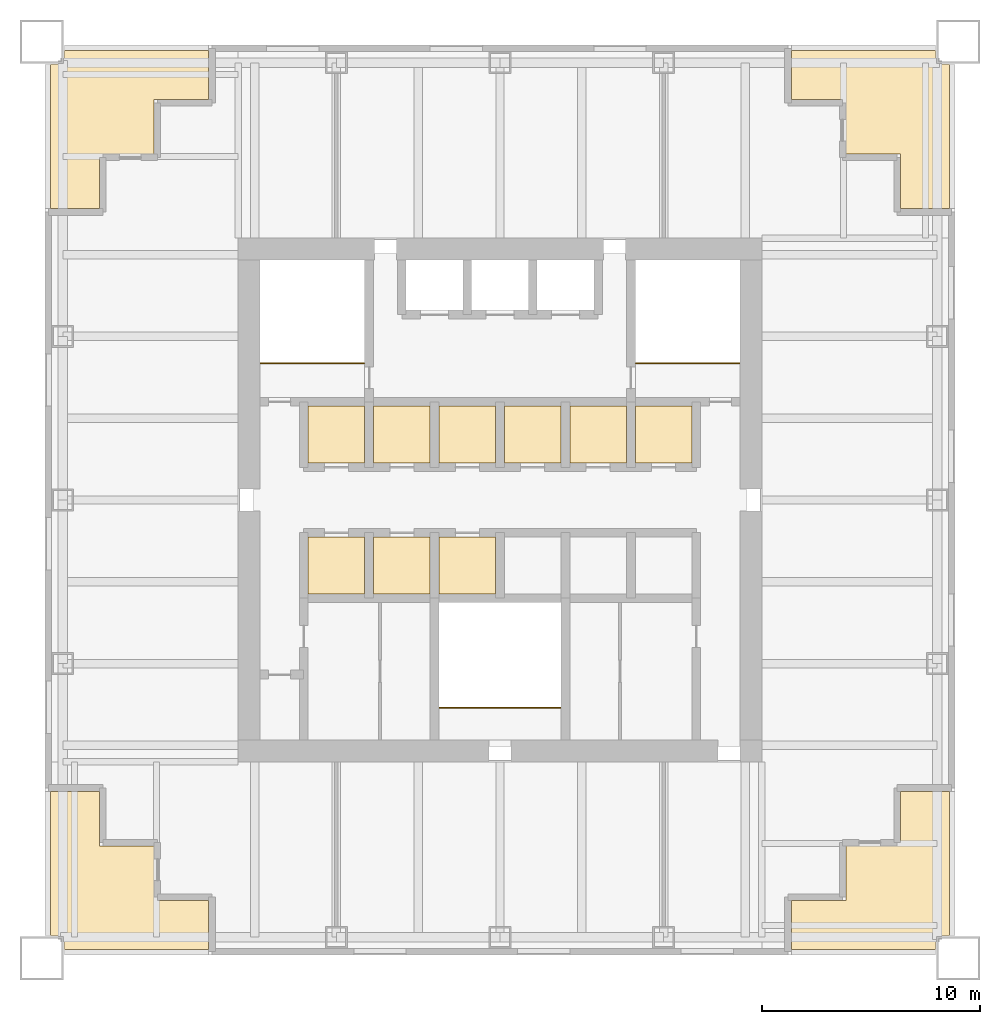
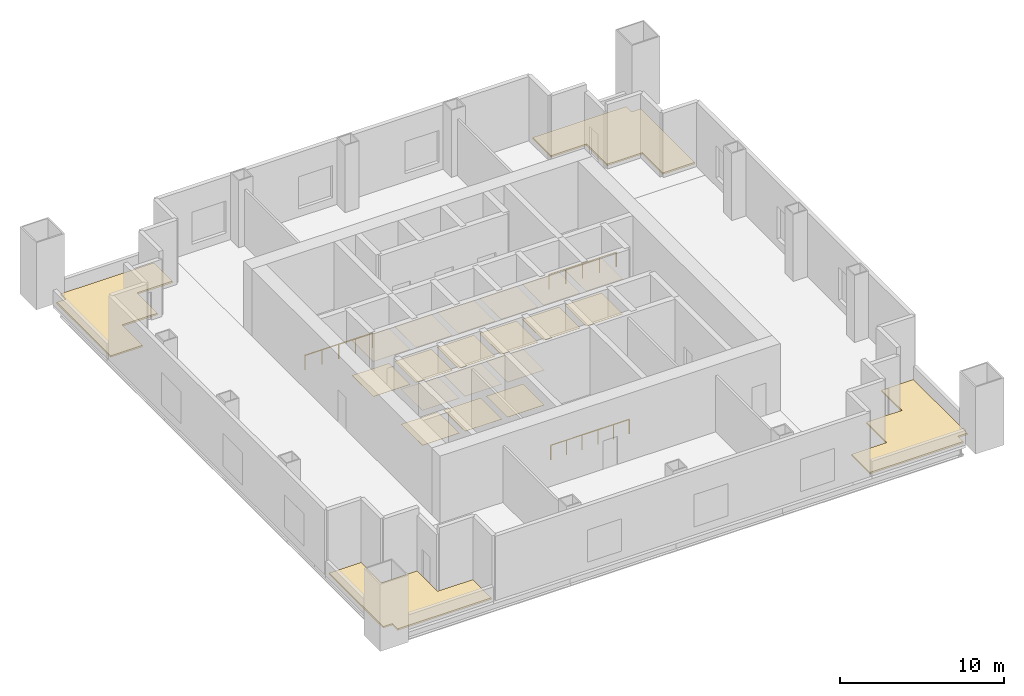
# One storey, part 5 of 5: 22 coverings, 3 railings.
"""IFC4 building model written with IfcOpenShell, lengths in metres."""

from ifc_helpers import new_model, si_unit, direction, frame, origin, origin_2d, place, context, subcontext, project, spatial, polyline, circle, outline, extrude, material, layer, layer_set, type_object, element, save


model = new_model("IFC4")

# Units and contexts
model_context = context("Model", 3, precision=1e-05, world=origin(), true_north=direction((0.0, 1.0)))
body_context = subcontext(model_context, "Body", "Model", "MODEL_VIEW")
ifc_project = project(units=[si_unit("LENGTHUNIT", "METRE"), si_unit("AREAUNIT", "SQUARE_METRE"), si_unit("VOLUMEUNIT", "CUBIC_METRE"), si_unit("PLANEANGLEUNIT", "RADIAN"), si_unit("MASSUNIT", "GRAM", prefix="KILO")], contexts=[model_context])

# Site, building, storey
site_placement = place(None, origin())
site = spatial("IfcSite", under=ifc_project, at=site_placement, CompositionType="ELEMENT")
building_placement = place(site_placement, origin())
building = spatial("IfcBuilding", under=site, at=building_placement, Name="Tarangal Relay Tower", CompositionType="ELEMENT")
storey_placement = place(building_placement, frame((0.0, 0.0, 341.89990234375)))
storey = spatial("IfcBuildingStorey", under=building, at=storey_placement, Name="L76", CompositionType="ELEMENT", Elevation=341.89990234375)

# Coverings
ifc_material_1 = material(Name="Anti-static vinyl flooring", Category="plastic")
ifc_layer_1 = layer(ifc_material_1, 0.010009765625)
ifc_layer_set_1 = layer_set([ifc_layer_1], Name="Anti-static vinyl floor")
covering_type_1 = type_object("IfcCoveringType", Name="Anti-static vinyl floor", PredefinedType="FLOORING", material=ifc_layer_set_1)
covering_1_placement = place(storey_placement, origin())
element("IfcCovering", 1, at=covering_1_placement, inside=storey, type_object=covering_type_1, Name="Floor finish FL1 L76-D1", PredefinedType="FLOORING", context=body_context, shape_type="SweptSolid", body=[
    extrude(outline(polyline([(-8.800048828125, 1.699951171875), (-6.199951171875, 1.699951171875), (-6.199951171875, 4.300048828125), (-8.800048828125, 4.300048828125), (-8.800048828125, 1.699951171875)])), origin(), (0.0, 0.0, 1.0), 0.010009765625),
])
covering_2_placement = place(storey_placement, origin())
element("IfcCovering", 2, at=covering_2_placement, inside=storey, type_object=covering_type_1, Name="Floor finish FL1 L76-D2", PredefinedType="FLOORING", context=body_context, shape_type="SweptSolid", body=[
    extrude(outline(polyline([(-5.800048828125, 1.699951171875), (-3.199951171875, 1.699951171875), (-3.199951171875, 4.300048828125), (-5.800048828125, 4.300048828125), (-5.800048828125, 1.699951171875)])), origin(), (0.0, 0.0, 1.0), 0.010009765625),
])
covering_3_placement = place(storey_placement, origin())
element("IfcCovering", 3, at=covering_3_placement, inside=storey, type_object=covering_type_1, Name="Floor finish FL1 L76-D3", PredefinedType="FLOORING", context=body_context, shape_type="SweptSolid", body=[
    extrude(outline(polyline([(-2.800048828125, 1.699951171875), (-0.199951171875, 1.699951171875), (-0.199951171875, 4.300048828125), (-2.800048828125, 4.300048828125), (-2.800048828125, 1.699951171875)])), origin(), (0.0, 0.0, 1.0), 0.010009765625),
])
covering_4_placement = place(storey_placement, origin())
element("IfcCovering", 4, at=covering_4_placement, inside=storey, type_object=covering_type_1, Name="Floor finish FL1 L76-T1", PredefinedType="FLOORING", context=body_context, shape_type="SweptSolid", body=[
    extrude(outline(polyline([(0.199951171875, 1.699951171875), (2.800048828125, 1.699951171875), (2.800048828125, 4.300048828125), (0.199951171875, 4.300048828125), (0.199951171875, 1.699951171875)])), origin(), (0.0, 0.0, 1.0), 0.010009765625),
])
covering_5_placement = place(storey_placement, origin())
element("IfcCovering", 5, at=covering_5_placement, inside=storey, type_object=covering_type_1, Name="Floor finish FL1 L76-T2", PredefinedType="FLOORING", context=body_context, shape_type="SweptSolid", body=[
    extrude(outline(polyline([(3.199951171875, 1.699951171875), (5.800048828125, 1.699951171875), (5.800048828125, 4.300048828125), (3.199951171875, 4.300048828125), (3.199951171875, 1.699951171875)])), origin(), (0.0, 0.0, 1.0), 0.010009765625),
])
covering_6_placement = place(storey_placement, origin())
element("IfcCovering", 6, at=covering_6_placement, inside=storey, type_object=covering_type_1, Name="Floor finish FL1 L76-T3", PredefinedType="FLOORING", context=body_context, shape_type="SweptSolid", body=[
    extrude(outline(polyline([(6.199951171875, 1.699951171875), (8.800048828125, 1.699951171875), (8.800048828125, 4.300048828125), (6.199951171875, 4.300048828125), (6.199951171875, 1.699951171875)])), origin(), (0.0, 0.0, 1.0), 0.010009765625),
])
covering_7_placement = place(storey_placement, origin())
element("IfcCovering", 7, at=covering_7_placement, inside=storey, type_object=covering_type_1, Name="Floor finish FL1 L76-S1", PredefinedType="FLOORING", context=body_context, shape_type="SweptSolid", body=[
    extrude(outline(polyline([(-8.800048828125, -4.300048828125), (-6.199951171875, -4.300048828125), (-6.199951171875, -1.699951171875), (-8.800048828125, -1.699951171875), (-8.800048828125, -4.300048828125)])), origin(), (0.0, 0.0, 1.0), 0.010009765625),
])
covering_8_placement = place(storey_placement, origin())
element("IfcCovering", 8, at=covering_8_placement, inside=storey, type_object=covering_type_1, Name="Floor finish FL1 L76-S2", PredefinedType="FLOORING", context=body_context, shape_type="SweptSolid", body=[
    extrude(outline(polyline([(-5.800048828125, -4.300048828125), (-3.199951171875, -4.300048828125), (-3.199951171875, -1.699951171875), (-5.800048828125, -1.699951171875), (-5.800048828125, -4.300048828125)])), origin(), (0.0, 0.0, 1.0), 0.010009765625),
])
covering_9_placement = place(storey_placement, origin())
element("IfcCovering", 9, at=covering_9_placement, inside=storey, type_object=covering_type_1, Name="Floor finish FL1 L76-S3", PredefinedType="FLOORING", context=body_context, shape_type="SweptSolid", body=[
    extrude(outline(polyline([(-2.800048828125, -4.300048828125), (-0.199951171875, -4.300048828125), (-0.199951171875, -1.699951171875), (-2.800048828125, -1.699951171875), (-2.800048828125, -4.300048828125)])), origin(), (0.0, 0.0, 1.0), 0.010009765625),
])
ifc_material_2 = material(Name="Bituminous membrane on rigid insulation", Category="plastic")
ifc_layer_2 = layer(ifc_material_2, 0.1201171875)
ifc_layer_set_2 = layer_set([ifc_layer_2], Name="Roof membrane and insulation")
covering_type_2 = type_object("IfcCoveringType", Name="Roof membrane and insulation", PredefinedType="ROOFING", material=ifc_layer_set_2)
covering_10_placement = place(storey_placement, origin())
element("IfcCovering", 10, at=covering_10_placement, inside=storey, type_object=covering_type_2, Name="Ledge roofing RF2 NE L76", PredefinedType="ROOFING", context=body_context, shape_type="SweptSolid", body=[
    extrude(outline(polyline([(19.949951171875, 19.949951171875), (19.949951171875, 20.60009765625), (13.35009765625, 20.60009765625), (13.35009765625, 18.35009765625), (15.85009765625, 18.35009765625), (15.85009765625, 15.85009765625), (18.35009765625, 15.85009765625), (18.35009765625, 13.35009765625), (20.60009765625, 13.35009765625), (20.60009765625, 19.949951171875), (19.949951171875, 19.949951171875)])), origin(), (0.0, 0.0, 1.0), 0.1201171875),
])
covering_11_placement = place(storey_placement, origin())
element("IfcCovering", 11, at=covering_11_placement, inside=storey, type_object=covering_type_2, Name="Ledge roofing RF2 SE L76", PredefinedType="ROOFING", context=body_context, shape_type="SweptSolid", body=[
    extrude(outline(polyline([(19.949951171875, -19.949951171875), (20.60009765625, -19.949951171875), (20.60009765625, -13.35009765625), (18.35009765625, -13.35009765625), (18.35009765625, -15.85009765625), (15.85009765625, -15.85009765625), (15.85009765625, -18.35009765625), (13.35009765625, -18.35009765625), (13.35009765625, -20.60009765625), (19.949951171875, -20.60009765625), (19.949951171875, -19.949951171875)])), origin(), (0.0, 0.0, 1.0), 0.1201171875),
])
covering_12_placement = place(storey_placement, origin())
element("IfcCovering", 12, at=covering_12_placement, inside=storey, type_object=covering_type_2, Name="Ledge roofing RF2 SW L76", PredefinedType="ROOFING", context=body_context, shape_type="SweptSolid", body=[
    extrude(outline(polyline([(-19.949951171875, -19.949951171875), (-19.949951171875, -20.60009765625), (-13.35009765625, -20.60009765625), (-13.35009765625, -18.35009765625), (-15.85009765625, -18.35009765625), (-15.85009765625, -15.85009765625), (-18.35009765625, -15.85009765625), (-18.35009765625, -13.35009765625), (-20.60009765625, -13.35009765625), (-20.60009765625, -19.949951171875), (-19.949951171875, -19.949951171875)])), origin(), (0.0, 0.0, 1.0), 0.1201171875),
])
covering_13_placement = place(storey_placement, origin())
element("IfcCovering", 13, at=covering_13_placement, inside=storey, type_object=covering_type_2, Name="Ledge roofing RF2 NW L76", PredefinedType="ROOFING", context=body_context, shape_type="SweptSolid", body=[
    extrude(outline(polyline([(-19.949951171875, 19.949951171875), (-20.60009765625, 19.949951171875), (-20.60009765625, 13.35009765625), (-18.35009765625, 13.35009765625), (-18.35009765625, 15.85009765625), (-15.85009765625, 15.85009765625), (-15.85009765625, 18.35009765625), (-13.35009765625, 18.35009765625), (-13.35009765625, 20.60009765625), (-19.949951171875, 20.60009765625), (-19.949951171875, 19.949951171875)])), origin(), (0.0, 0.0, 1.0), 0.1201171875),
])

# Railings
ifc_material_3 = material(Name="Steel guard, black finish", Category="steel")
railing_type = type_object("IfcRailingType", Name="Stair guard 1100", PredefinedType="GUARDRAIL", material=ifc_material_3)
for number, where, name in (
    (14, (-10.969970703125, 6.27001953125, 0.0), "Stair ST-A top guard GR1 L76"),
    (15, (6.22998046875, 6.27001953125, 0.0), "Stair ST-B top guard GR1 L76"),
):
    element("IfcRailing", number, at=place(storey_placement, frame(where)), inside=storey, type_object=railing_type, Name=name, PredefinedType="GUARDRAIL", context=body_context, shape_type="SweptSolid", body=[
        extrude(circle(Radius=0.02392578125, at=origin_2d()), frame((0.0, 0.0, 1.076171875), z_axis=(1.0, 0.0, 0.0), x_axis=(0.0, 1.0, 0.0)), (0.0, 0.0, 1.0), 4.739990234375),
        extrude(circle(Radius=0.02099609375, at=origin_2d()), origin(), (0.0, 0.0, 1.0), 1.052001953125),
        extrude(circle(Radius=0.02099609375, at=origin_2d()), frame((1.18505859375, 0.0, 0.0)), (0.0, 0.0, 1.0), 1.052001953125),
        extrude(circle(Radius=0.02099609375, at=origin_2d()), frame((2.3701171875, 0.0, 0.0)), (0.0, 0.0, 1.0), 1.052001953125),
        extrude(circle(Radius=0.02099609375, at=origin_2d()), frame((3.554931640625, 0.0, 0.0)), (0.0, 0.0, 1.0), 1.052001953125),
        extrude(circle(Radius=0.02099609375, at=origin_2d()), frame((4.739990234375, 0.0, 0.0)), (0.0, 0.0, 1.0), 1.052001953125),
    ])
railing_placement = place(storey_placement, frame((-2.77001953125, -9.530029296875, 0.0)))
element("IfcRailing", 16, at=railing_placement, inside=storey, type_object=railing_type, Name="Stair ST-C top guard GR1 L76", PredefinedType="GUARDRAIL", context=body_context, shape_type="SweptSolid", body=[
    extrude(circle(Radius=0.02392578125, at=origin_2d()), frame((0.0, 0.0, 1.076171875), z_axis=(1.0, 0.0, 0.0), x_axis=(0.0, 1.0, 0.0)), (0.0, 0.0, 1.0), 5.5400390625),
    extrude(circle(Radius=0.02099609375, at=origin_2d()), origin(), (0.0, 0.0, 1.0), 1.052001953125),
    extrude(circle(Radius=0.02099609375, at=origin_2d()), frame((1.10791015625, 0.0, 0.0)), (0.0, 0.0, 1.0), 1.052001953125),
    extrude(circle(Radius=0.02099609375, at=origin_2d()), frame((2.216064453125, 0.0, 0.0)), (0.0, 0.0, 1.0), 1.052001953125),
    extrude(circle(Radius=0.02099609375, at=origin_2d()), frame((3.323974609375, 0.0, 0.0)), (0.0, 0.0, 1.0), 1.052001953125),
    extrude(circle(Radius=0.02099609375, at=origin_2d()), frame((4.43212890625, 0.0, 0.0)), (0.0, 0.0, 1.0), 1.052001953125),
    extrude(circle(Radius=0.02099609375, at=origin_2d()), frame((5.5400390625, 0.0, 0.0)), (0.0, 0.0, 1.0), 1.052001953125),
])

# Coverings
ifc_material_4 = material(Name="Mineral fibre ceiling tiles", Category="gypsum")
ifc_layer_3 = layer(ifc_material_4, 0.02001953125)
ifc_layer_set_3 = layer_set([ifc_layer_3], Name="Suspended ceiling")
covering_type_3 = type_object("IfcCoveringType", Name="Suspended ceiling", PredefinedType="CEILING", material=ifc_layer_set_3)
covering_14_placement = place(storey_placement, frame((0.0, 0.0, 2.60009765625)))
element("IfcCovering", 17, at=covering_14_placement, inside=storey, type_object=covering_type_3, Name="Suspended ceiling CL1 L76-D1", PredefinedType="CEILING", context=body_context, shape_type="SweptSolid", body=[
    extrude(outline(polyline([(-8.800048828125, 1.699951171875), (-6.199951171875, 1.699951171875), (-6.199951171875, 4.300048828125), (-8.800048828125, 4.300048828125), (-8.800048828125, 1.699951171875)])), origin(), (0.0, 0.0, 1.0), 0.02001953125),
])
covering_15_placement = place(storey_placement, frame((0.0, 0.0, 2.60009765625)))
element("IfcCovering", 18, at=covering_15_placement, inside=storey, type_object=covering_type_3, Name="Suspended ceiling CL1 L76-D2", PredefinedType="CEILING", context=body_context, shape_type="SweptSolid", body=[
    extrude(outline(polyline([(-5.800048828125, 1.699951171875), (-3.199951171875, 1.699951171875), (-3.199951171875, 4.300048828125), (-5.800048828125, 4.300048828125), (-5.800048828125, 1.699951171875)])), origin(), (0.0, 0.0, 1.0), 0.02001953125),
])
covering_16_placement = place(storey_placement, frame((0.0, 0.0, 2.60009765625)))
element("IfcCovering", 19, at=covering_16_placement, inside=storey, type_object=covering_type_3, Name="Suspended ceiling CL1 L76-D3", PredefinedType="CEILING", context=body_context, shape_type="SweptSolid", body=[
    extrude(outline(polyline([(-2.800048828125, 1.699951171875), (-0.199951171875, 1.699951171875), (-0.199951171875, 4.300048828125), (-2.800048828125, 4.300048828125), (-2.800048828125, 1.699951171875)])), origin(), (0.0, 0.0, 1.0), 0.02001953125),
])
covering_17_placement = place(storey_placement, frame((0.0, 0.0, 2.60009765625)))
element("IfcCovering", 20, at=covering_17_placement, inside=storey, type_object=covering_type_3, Name="Suspended ceiling CL1 L76-T1", PredefinedType="CEILING", context=body_context, shape_type="SweptSolid", body=[
    extrude(outline(polyline([(0.199951171875, 1.699951171875), (2.800048828125, 1.699951171875), (2.800048828125, 4.300048828125), (0.199951171875, 4.300048828125), (0.199951171875, 1.699951171875)])), origin(), (0.0, 0.0, 1.0), 0.02001953125),
])
covering_18_placement = place(storey_placement, frame((0.0, 0.0, 2.60009765625)))
element("IfcCovering", 21, at=covering_18_placement, inside=storey, type_object=covering_type_3, Name="Suspended ceiling CL1 L76-T2", PredefinedType="CEILING", context=body_context, shape_type="SweptSolid", body=[
    extrude(outline(polyline([(3.199951171875, 1.699951171875), (5.800048828125, 1.699951171875), (5.800048828125, 4.300048828125), (3.199951171875, 4.300048828125), (3.199951171875, 1.699951171875)])), origin(), (0.0, 0.0, 1.0), 0.02001953125),
])
covering_19_placement = place(storey_placement, frame((0.0, 0.0, 2.60009765625)))
element("IfcCovering", 22, at=covering_19_placement, inside=storey, type_object=covering_type_3, Name="Suspended ceiling CL1 L76-T3", PredefinedType="CEILING", context=body_context, shape_type="SweptSolid", body=[
    extrude(outline(polyline([(6.199951171875, 1.699951171875), (8.800048828125, 1.699951171875), (8.800048828125, 4.300048828125), (6.199951171875, 4.300048828125), (6.199951171875, 1.699951171875)])), origin(), (0.0, 0.0, 1.0), 0.02001953125),
])
covering_20_placement = place(storey_placement, frame((0.0, 0.0, 2.60009765625)))
element("IfcCovering", 23, at=covering_20_placement, inside=storey, type_object=covering_type_3, Name="Suspended ceiling CL1 L76-S1", PredefinedType="CEILING", context=body_context, shape_type="SweptSolid", body=[
    extrude(outline(polyline([(-8.800048828125, -4.300048828125), (-6.199951171875, -4.300048828125), (-6.199951171875, -1.699951171875), (-8.800048828125, -1.699951171875), (-8.800048828125, -4.300048828125)])), origin(), (0.0, 0.0, 1.0), 0.02001953125),
])
covering_21_placement = place(storey_placement, frame((0.0, 0.0, 2.60009765625)))
element("IfcCovering", 24, at=covering_21_placement, inside=storey, type_object=covering_type_3, Name="Suspended ceiling CL1 L76-S2", PredefinedType="CEILING", context=body_context, shape_type="SweptSolid", body=[
    extrude(outline(polyline([(-5.800048828125, -4.300048828125), (-3.199951171875, -4.300048828125), (-3.199951171875, -1.699951171875), (-5.800048828125, -1.699951171875), (-5.800048828125, -4.300048828125)])), origin(), (0.0, 0.0, 1.0), 0.02001953125),
])
covering_22_placement = place(storey_placement, frame((0.0, 0.0, 2.60009765625)))
element("IfcCovering", 25, at=covering_22_placement, inside=storey, type_object=covering_type_3, Name="Suspended ceiling CL1 L76-S3", PredefinedType="CEILING", context=body_context, shape_type="SweptSolid", body=[
    extrude(outline(polyline([(-2.800048828125, -4.300048828125), (-0.199951171875, -4.300048828125), (-0.199951171875, -1.699951171875), (-2.800048828125, -1.699951171875), (-2.800048828125, -4.300048828125)])), origin(), (0.0, 0.0, 1.0), 0.02001953125),
])

save(model, "model.ifc")
